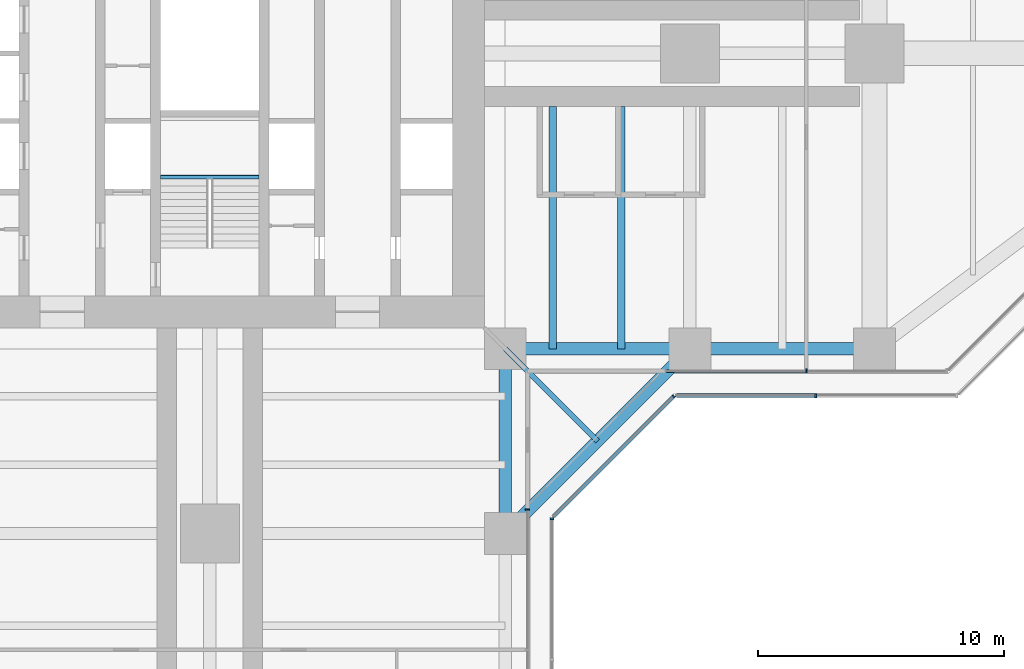
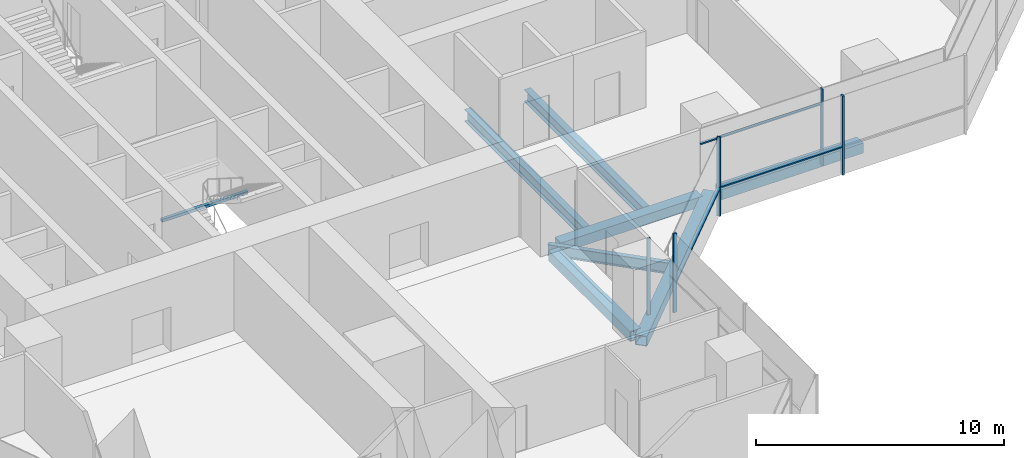
# One storey, part 6 of 22: 8 beams, 8 members, 5 elements without a shape of their own.
"""IFC4 building model written with IfcOpenShell, lengths in metres."""

import ifcopenshell
import ifcopenshell.guid

model = None  # the IFC model being written
_history = None  # IfcOwnerHistory: only IFC2X3 demands one
_inside = {}  # id of a spatial element -> (the spatial element, [elements in it])
_under = {}  # id of a project, library or spatial element -> (it, [spatial elements below it])
_declared = {}  # id of a project -> (the project, [libraries it declares])
_typed = {}  # id of a type object -> (the type object, [elements of that type])
_made_of = {}  # id of a material, layer set ... -> (it, [elements and type objects made of it])


def new_model(schema):
    """Start an empty IFC model of exactly this schema.

    Asked for "IFC4X3", IfcOpenShell would pick the latest addendum, in which some entities
    have other attributes; the version numbers below select the first issue.
    IFC2X3 requires an IfcOwnerHistory on every rooted entity: one is made here for all.
    """
    global model, _history
    if schema == "IFC4X3":
        model = ifcopenshell.file(schema_version=(4, 3, 0, 0))
    else:
        model = ifcopenshell.file(schema=schema)
    _inside.clear()
    _under.clear()
    _declared.clear()
    _typed.clear()
    _made_of.clear()
    _history = None
    if model.schema == "IFC2X3":
        org = make("IfcOrganization", Name="unknown")
        user = make(
            "IfcPersonAndOrganization",
            ThePerson=make("IfcPerson", FamilyName="unknown"),
            TheOrganization=org,
        )
        app = make(
            "IfcApplication",
            ApplicationDeveloper=org,
            Version="unknown",
            ApplicationFullName="unknown",
            ApplicationIdentifier="unknown",
        )
        _history = make(
            "IfcOwnerHistory",
            OwningUser=user,
            OwningApplication=app,
            ChangeAction="ADDED",
            CreationDate=0,
        )
    return model


def make(cls, **values):
    """One entity of the class cls with the attributes given. An attribute that is None is left unset."""
    return model.create_entity(
        cls, **{name: value for name, value in values.items() if value is not None}
    )


def rooted(cls, **values):
    """An entity with a GlobalId (a new one), such as an element, a storey or a relation."""
    return make(cls, GlobalId=ifcopenshell.guid.new(), OwnerHistory=_history, **values)


def si_unit(unit_type, name, prefix=None):
    """IfcSIUnit, for example si_unit("LENGTHUNIT", "METRE", prefix="MILLI")."""
    return make("IfcSIUnit", UnitType=unit_type, Prefix=prefix, Name=name)


def assignment(units):
    """IfcUnitAssignment: the units of a project."""
    return None if units is None else make("IfcUnitAssignment", Units=units)


def point(xyz):
    """IfcCartesianPoint."""
    return None if xyz is None else make("IfcCartesianPoint", Coordinates=xyz)


def direction(xyz):
    """IfcDirection."""
    return None if xyz is None else make("IfcDirection", DirectionRatios=xyz)


def frame(location, z_axis=None, x_axis=None):
    """IfcAxis2Placement3D, a coordinate frame: its origin and axes. An axis left out is left unset."""
    return make(
        "IfcAxis2Placement3D",
        Location=point(location),
        Axis=direction(z_axis),
        RefDirection=direction(x_axis),
    )


def frame_2d(location, x_axis=None):
    """IfcAxis2Placement2D, a coordinate frame in the plane: its origin and x axis."""
    return make(
        "IfcAxis2Placement2D", Location=point(location), RefDirection=direction(x_axis)
    )


def origin():
    """The frame at (0, 0, 0) with its axes left unset."""
    return frame((0.0, 0.0, 0.0))


def origin_2d():
    """The frame at (0, 0) in the plane with its x axis left unset."""
    return frame_2d((0.0, 0.0))


def place(relative_to, where):
    """IfcLocalPlacement: puts the frame where relative to a parent placement (None: the world)."""
    return make(
        "IfcLocalPlacement", PlacementRelTo=relative_to, RelativePlacement=where
    )


def context(
    kind, dimensions, precision=None, world=None, true_north=None, identifier=None
):
    """IfcGeometricRepresentationContext, for example the 3D "Model" context."""
    return make(
        "IfcGeometricRepresentationContext",
        ContextIdentifier=identifier,
        ContextType=kind,
        CoordinateSpaceDimension=dimensions,
        Precision=precision,
        WorldCoordinateSystem=world,
        TrueNorth=true_north,
    )


def subcontext(parent, identifier, kind, view, scale=None):
    """IfcGeometricRepresentationSubContext, for example "Body" below "Model"."""
    return make(
        "IfcGeometricRepresentationSubContext",
        ContextIdentifier=identifier,
        ContextType=kind,
        ParentContext=parent,
        TargetScale=scale,
        TargetView=view,
    )


def project(units=None, contexts=None):
    """IfcProject with its units and contexts."""
    return rooted(
        "IfcProject",
        Name="project",
        RepresentationContexts=contexts,
        UnitsInContext=assignment(units),
    )


def spatial(cls, under=None, at=None, **own):
    """A site, building, storey or space (cls), placed at a placement, below another one or the project."""
    s = rooted(cls, ObjectPlacement=at, **own)
    if under is not None:
        _under.setdefault(under.id(), (under, []))[1].append(s)
    return s


def profile(cls, at=None, kind="AREA", **sizes):
    """A parametric profile (cls). Its sizes go by their IFC names, for example OverallWidth=200.0."""
    return make(cls, ProfileType=kind, Position=at, **sizes)


def rectangle(**sizes):
    """IfcRectangleProfileDef."""
    return profile("IfcRectangleProfileDef", **sizes)


def hollow_rectangle(**sizes):
    """IfcRectangleHollowProfileDef."""
    return profile("IfcRectangleHollowProfileDef", **sizes)


def i_section(**sizes):
    """IfcIShapeProfileDef."""
    return profile("IfcIShapeProfileDef", **sizes)


def extrude(swept, where, along, depth):
    """IfcExtrudedAreaSolid: the profile swept, set in the frame where, extruded along a direction by depth."""
    return make(
        "IfcExtrudedAreaSolid",
        SweptArea=swept,
        Position=where,
        ExtrudedDirection=direction(along),
        Depth=depth,
    )


def shape(context_of_items, identifier, shape_type, items):
    """IfcShapeRepresentation: the items that make up one representation, for example the "Body"."""
    return make(
        "IfcShapeRepresentation",
        ContextOfItems=context_of_items,
        RepresentationIdentifier=identifier,
        RepresentationType=shape_type,
        Items=items,
    )


def material(Name=None, Category=None):
    """IfcMaterial."""
    return make("IfcMaterial", Name=Name, Category=Category)


def material_profile(
    of_material, cross_section, Name=None, Category=None, Priority=None
):
    """IfcMaterialProfile: a cross section and its material."""
    return make(
        "IfcMaterialProfile",
        Name=Name,
        Material=of_material,
        Profile=cross_section,
        Priority=Priority,
        Category=Category,
    )


def profile_set(profiles, Name=None, composite=None):
    """IfcMaterialProfileSet."""
    return make(
        "IfcMaterialProfileSet",
        Name=Name,
        MaterialProfiles=profiles,
        CompositeProfile=composite,
    )


def made_of(thing, what):
    """Note that an element or type object is made of a material, layer set ...; save() writes the relation."""
    if what is not None:
        _made_of.setdefault(what.id(), (what, []))[1].append(thing)
    return thing


def type_object(cls, material=None, **own):
    """A type object (cls), such as IfcWallType, which elements share."""
    return made_of(rooted(cls, **own), material)


def element(
    cls,
    number,
    at=None,
    inside=None,
    cuts=None,
    type_object=None,
    material=None,
    context=None,
    identifier="Body",
    shape_type=None,
    held_by="IfcProductDefinitionShape",
    body=None,
    shapes=None,
    **own,
):
    """One element of the class cls, such as IfcWall. Its Tag is "e" and its number.

    at: its placement. inside: the storey or other place that contains it. cuts: it is an
    opening in that element (IfcRelVoidsElement). A single representation is given by context,
    identifier, shape_type and body (its items); several are given by shapes. held_by: the class
    of the entity that holds the representations. save() writes the other relations.
    """
    e = rooted(cls, Tag="e%d" % number, ObjectPlacement=at, **own)
    if body is not None:
        shapes = [shape(context, identifier, shape_type, body)]
    if shapes is not None:
        e.Representation = make(held_by, Representations=shapes)
    if inside is not None:
        _inside.setdefault(inside.id(), (inside, []))[1].append(e)
    if cuts is not None:
        rooted(
            "IfcRelVoidsElement", RelatingBuildingElement=cuts, RelatedOpeningElement=e
        )
    if type_object is not None:
        _typed.setdefault(type_object.id(), (type_object, []))[1].append(e)
    return made_of(e, material)


def aggregate(whole, parts):
    """IfcRelAggregates: a whole, such as a stair, and the parts it consists of."""
    return rooted("IfcRelAggregates", RelatingObject=whole, RelatedObjects=parts)


def save(model, path):
    """Write the relations noted so far, then the file.

    IfcRelAggregates (storeys below a building ...), IfcRelContainedInSpatialStructure (elements
    in a storey), IfcRelDefinesByType, IfcRelAssociatesMaterial and IfcRelDeclares: one each for
    every whole, place, type object, material and project.
    """
    for whole, parts in _under.values():
        aggregate(whole, parts)
    for where, things in _inside.values():
        rooted(
            "IfcRelContainedInSpatialStructure",
            RelatedElements=things,
            RelatingStructure=where,
        )
    for kind, things in _typed.values():
        rooted("IfcRelDefinesByType", RelatedObjects=things, RelatingType=kind)
    for what, things in _made_of.values():
        rooted("IfcRelAssociatesMaterial", RelatedObjects=things, RelatingMaterial=what)
    for by, libraries in _declared.values():
        rooted("IfcRelDeclares", RelatingContext=by, RelatedDefinitions=libraries)
    model.write(path)


model = new_model("IFC4")

# Units and contexts
model_context = context("Model", 3, precision=1e-05, world=origin(), true_north=direction((0.0, 1.0)))
body_context = subcontext(model_context, "Body", "Model", "MODEL_VIEW")
ifc_project = project(units=[si_unit("LENGTHUNIT", "METRE"), si_unit("AREAUNIT", "SQUARE_METRE"), si_unit("VOLUMEUNIT", "CUBIC_METRE"), si_unit("PLANEANGLEUNIT", "RADIAN"), si_unit("MASSUNIT", "GRAM", prefix="KILO")], contexts=[model_context])

# Site, building, storey
site_placement = place(None, origin())
site = spatial("IfcSite", under=ifc_project, at=site_placement, CompositionType="ELEMENT")
building_placement = place(site_placement, origin())
building = spatial("IfcBuilding", under=site, at=building_placement, Name="Mizan Broadcast Tower", CompositionType="ELEMENT")
storey_placement = place(building_placement, frame((0.0, 0.0, 63.0)))
storey = spatial("IfcBuildingStorey", under=building, at=storey_placement, Name="L12", CompositionType="ELEMENT", Elevation=63.0)

# Beams
ifc_material_1 = material(Name="Steel S355", Category="steel")
ifc_material_profile_1 = material_profile(ifc_material_1, hollow_rectangle(XDim=0.5, YDim=0.5, WallThickness=0.030029296875, at=origin_2d()), Name="BOX 500x500x30")
ifc_profile_set_1 = profile_set([ifc_material_profile_1], Name="Steel S355")
beam_type_1 = type_object("IfcBeamType", Name="EDGE BEAM BOX 500x500x30", PredefinedType="SPANDREL", material=ifc_profile_set_1)
for number, where, z_axis, x_axis, name in (
    (1, (12.449951171875, -12.0, -0.3798828125), (1.0, 0.0, 0.0), (0.0, 1.0, 0.0), "Edge beam BOX 500x500x30 L12 east arm"),
    (2, (19.949951171875, -12.0, -0.3798828125), (1.0, 0.0, 0.0), (0.0, 1.0, 0.0), "Edge beam BOX 500x500x30 L12 east arm"),
    (3, (12.0, -12.449951171875, -0.3798828125), (0.0, -1.0, 0.0), (1.0, 0.0, 0.0), "Edge beam BOX 500x500x30 L12 south arm"),
):
    element("IfcBeam", number, at=place(storey_placement, frame(where, z_axis=z_axis, x_axis=x_axis)), inside=storey, type_object=beam_type_1, Name=name, PredefinedType="SPANDREL", context=body_context, shape_type="SweptSolid", body=[
        extrude(hollow_rectangle(XDim=0.5, YDim=0.5, WallThickness=0.030029296875, at=origin_2d()), origin(), (0.0, 0.0, 1.0), 6.60009765625),
    ])
beam_1_placement = place(storey_placement, frame((12.0, -19.5, -0.3798828125), z_axis=(0.707106781187, 0.707106781187, 0.0), x_axis=(-0.707106781187, 0.707106781187, 0.0)))
element("IfcBeam", 4, at=beam_1_placement, inside=storey, type_object=beam_type_1, Name="Winter garden edge beam L12 S", PredefinedType="SPANDREL", context=body_context, shape_type="SweptSolid", body=[
    extrude(hollow_rectangle(XDim=0.5, YDim=0.5, WallThickness=0.030029296875, at=origin_2d()), origin(), (0.0, 0.0, 1.0), 10.606689453125),
])

# Curtain wall, member
ifc_material_2 = material(Name="Aluminium framed glazing", Category="aluminium")
curtain_wall_type_1 = type_object("IfcCurtainWallType", Name="INNER SKIN LOW ZONE", PredefinedType="USERDEFINED", material=ifc_material_2)
curtain_wall_1_placement = place(storey_placement, origin())
curtain_wall_1 = element("IfcCurtainWall", 5, at=curtain_wall_1_placement, inside=storey, type_object=curtain_wall_type_1, Name="Inner skin low zone L12 E side", ObjectType="INNER SKIN LOW ZONE", PredefinedType="USERDEFINED")
ifc_material_3 = material(Name="Aluminium, pale anodised", Category="aluminium")
ifc_material_profile_2 = material_profile(ifc_material_3, rectangle(XDim=0.159912109375, YDim=0.06005859375, at=origin_2d()), Name="MULLION 160x60")
ifc_profile_set_2 = profile_set([ifc_material_profile_2], Name="Aluminium, pale anodised")
member_type_1 = type_object("IfcMemberType", Name="INNER SKIN MULLION 60x160", PredefinedType="MULLION", material=ifc_profile_set_2)
member_1_placement = place(storey_placement, frame((24.229248046875, -12.89990234375, 0.0), z_axis=(0.0, 0.0, 1.0), x_axis=(0.0, 1.0, 0.0)))
member_1 = element("IfcMember", 6, at=member_1_placement, type_object=member_type_1, Name="Inner skin low zone L12 E side mullion 2", PredefinedType="MULLION", context=body_context, shape_type="SweptSolid", body=[
    extrude(rectangle(XDim=0.159912109375, YDim=0.06005859375, at=origin_2d()), origin(), (0.0, 0.0, 1.0), 3.77001953125),
])

curtain_wall_2_placement = place(storey_placement, origin())
curtain_wall_2 = element("IfcCurtainWall", 7, at=curtain_wall_2_placement, inside=storey, type_object=curtain_wall_type_1, Name="Inner skin low zone L12 S side", ObjectType="INNER SKIN LOW ZONE", PredefinedType="USERDEFINED")
member_2_placement = place(storey_placement, frame((12.89990234375, -18.530029296875, 0.0), z_axis=(0.0, 0.0, 1.0), x_axis=(-1.0, 0.0, 0.0)))
member_2 = element("IfcMember", 8, at=member_2_placement, type_object=member_type_1, Name="Inner skin low zone L12 S side mullion 3", PredefinedType="MULLION", context=body_context, shape_type="SweptSolid", body=[
    extrude(rectangle(XDim=0.159912109375, YDim=0.06005859375, at=origin_2d()), origin(), (0.0, 0.0, 1.0), 3.77001953125),
])
aggregate(curtain_wall_2, [member_2])

# Member
ifc_material_4 = material(Name="Aluminium, pale anodised", Category="aluminium")
ifc_material_profile_3 = material_profile(ifc_material_4, rectangle(XDim=0.1201171875, YDim=0.06005859375, at=origin_2d()), Name="TRANSOM 120x60")
ifc_profile_set_3 = profile_set([ifc_material_profile_3], Name="Aluminium, pale anodised")
member_type_2 = type_object("IfcMemberType", Name="INNER SKIN TRANSOM 60x120", PredefinedType="USERDEFINED", material=ifc_profile_set_3)
member_3_placement = place(storey_placement, frame((18.56005859375, -12.89990234375, 3.030029296875), z_axis=(1.0, 0.0, 0.0), x_axis=(0.0, 1.0, 0.0)))
member_3 = element("IfcMember", 9, at=member_3_placement, type_object=member_type_2, Name="Inner skin low zone L12 E side transom 1.1", ObjectType="TRANSOM", PredefinedType="USERDEFINED", context=body_context, shape_type="SweptSolid", body=[
    extrude(rectangle(XDim=0.1201171875, YDim=0.06005859375, at=origin_2d()), origin(), (0.0, 0.0, 1.0), 5.63916015625),
])

aggregate(curtain_wall_1, [member_1, member_3])

# Beam
ifc_material_5 = material(Name="Steel S355", Category="steel")
ifc_material_profile_4 = material_profile(ifc_material_5, hollow_rectangle(XDim=0.14990234375, YDim=0.14990234375, WallThickness=0.008056640625, InnerFilletRadius=0.008056640625, OuterFilletRadius=0.011962890625, at=origin_2d()), Name="SHS 150x150x8")
ifc_profile_set_4 = profile_set([ifc_material_profile_4], Name="Steel S355")
beam_type_2 = type_object("IfcBeamType", Name="LANDING TRIMMER SHS 150x150x8", PredefinedType="BEAM", material=ifc_profile_set_4)
beam_2_placement = place(storey_placement, frame((-2.0, -5.02490234375, 1.675048828125), z_axis=(1.0, 0.0, 0.0), x_axis=(0.0, 1.0, 0.0)))
element("IfcBeam", 10, at=beam_2_placement, inside=storey, type_object=beam_type_2, Name="Stair A landing trimmer L12", PredefinedType="BEAM", context=body_context, shape_type="SweptSolid", body=[
    extrude(hollow_rectangle(XDim=0.14990234375, YDim=0.14990234375, WallThickness=0.008056640625, InnerFilletRadius=0.008056640625, OuterFilletRadius=0.011962890625, at=origin_2d()), origin(), (0.0, 0.0, 1.0), 4.0),
])

# Curtain wall, member
ifc_material_6 = material(Name="Aluminium framed glazing", Category="aluminium")
curtain_wall_type_2 = type_object("IfcCurtainWallType", Name="OUTER SKIN", PredefinedType="USERDEFINED", material=ifc_material_6)
curtain_wall_3_placement = place(storey_placement, origin())
curtain_wall_3 = element("IfcCurtainWall", 11, at=curtain_wall_3_placement, inside=storey, type_object=curtain_wall_type_2, Name="Outer skin L12 S side", ObjectType="OUTER SKIN", PredefinedType="USERDEFINED")
ifc_material_7 = material(Name="Aluminium, pale anodised", Category="aluminium")
ifc_material_profile_5 = material_profile(ifc_material_7, rectangle(XDim=0.159912109375, YDim=0.080078125, at=origin_2d()), Name="MULLION 160x80")
ifc_profile_set_5 = profile_set([ifc_material_profile_5], Name="Aluminium, pale anodised")
member_type_3 = type_object("IfcMemberType", Name="OUTER SKIN MULLION 80x160", PredefinedType="MULLION", material=ifc_profile_set_5)
member_4_placement = place(storey_placement, frame((13.89990234375, -18.912841796875, 0.0), z_axis=(0.0, 0.0, 1.0), x_axis=(-1.0, 0.0, 0.0)))
member_4 = element("IfcMember", 12, at=member_4_placement, type_object=member_type_3, Name="Outer skin L12 S side mullion 3", PredefinedType="MULLION", context=body_context, shape_type="SweptSolid", body=[
    extrude(rectangle(XDim=0.159912109375, YDim=0.080078125, at=origin_2d()), origin(), (0.0, 0.0, 1.0), 3.89990234375),
])
aggregate(curtain_wall_3, [member_4])

curtain_wall_4_placement = place(storey_placement, origin())
curtain_wall_4 = element("IfcCurtainWall", 13, at=curtain_wall_4_placement, inside=storey, type_object=curtain_wall_type_2, Name="Outer skin L12 E chamfer", ObjectType="OUTER SKIN", PredefinedType="USERDEFINED")
member_5_placement = place(storey_placement, frame((18.844482421875, -13.92822265625, 0.0), z_axis=(0.0, 0.0, 1.0), x_axis=(-0.707106781187, 0.707106781187, 0.0)))
member_5 = element("IfcMember", 14, at=member_5_placement, type_object=member_type_3, Name="Outer skin L12 E chamfer mullion 2", PredefinedType="MULLION", context=body_context, shape_type="SweptSolid", body=[
    extrude(rectangle(XDim=0.159912109375, YDim=0.080078125, at=origin_2d()), origin(), (0.0, 0.0, 1.0), 3.89990234375),
])

curtain_wall_5_placement = place(storey_placement, origin())
curtain_wall_5 = element("IfcCurtainWall", 15, at=curtain_wall_5_placement, inside=storey, type_object=curtain_wall_type_2, Name="Outer skin L12 E side", ObjectType="OUTER SKIN", PredefinedType="USERDEFINED")
member_6_placement = place(storey_placement, frame((24.622802734375, -13.89990234375, 0.0), z_axis=(0.0, 0.0, 1.0), x_axis=(0.0, 1.0, 0.0)))
member_6 = element("IfcMember", 16, at=member_6_placement, type_object=member_type_3, Name="Outer skin L12 E side mullion 2", PredefinedType="MULLION", context=body_context, shape_type="SweptSolid", body=[
    extrude(rectangle(XDim=0.159912109375, YDim=0.080078125, at=origin_2d()), origin(), (0.0, 0.0, 1.0), 3.89990234375),
])

# Member
ifc_material_8 = material(Name="Aluminium, pale anodised", Category="aluminium")
ifc_material_profile_6 = material_profile(ifc_material_8, rectangle(XDim=0.159912109375, YDim=0.06005859375, at=origin_2d()), Name="TRANSOM 160x60")
ifc_profile_set_6 = profile_set([ifc_material_profile_6], Name="Aluminium, pale anodised")
member_type_4 = type_object("IfcMemberType", Name="OUTER SKIN TRANSOM 60x160", PredefinedType="USERDEFINED", material=ifc_profile_set_6)
member_7_placement = place(storey_placement, frame((13.95654296875, -18.816162109375, 1.39990234375), z_axis=(0.707106781187, 0.707106781187, 0.0), x_axis=(-0.707106781187, 0.707106781187, 0.0)))
member_7 = element("IfcMember", 17, at=member_7_placement, type_object=member_type_4, Name="Outer skin L12 E chamfer transom 1.1", ObjectType="TRANSOM", PredefinedType="USERDEFINED", context=body_context, shape_type="SweptSolid", body=[
    extrude(rectangle(XDim=0.159912109375, YDim=0.06005859375, at=origin_2d()), origin(), (0.0, 0.0, 1.0), 6.87255859375),
])

aggregate(curtain_wall_4, [member_5, member_7])

member_8_placement = place(storey_placement, frame((18.952880859375, -13.89990234375, 1.39990234375), z_axis=(1.0, 0.0, 0.0), x_axis=(0.0, 1.0, 0.0)))
member_8 = element("IfcMember", 18, at=member_8_placement, type_object=member_type_4, Name="Outer skin L12 E side transom 1.1", ObjectType="TRANSOM", PredefinedType="USERDEFINED", context=body_context, shape_type="SweptSolid", body=[
    extrude(rectangle(XDim=0.159912109375, YDim=0.06005859375, at=origin_2d()), origin(), (0.0, 0.0, 1.0), 5.6298828125),
])

aggregate(curtain_wall_5, [member_6, member_8])

# Beams
ifc_material_9 = material(Name="Steel S355", Category="steel")
ifc_material_profile_7 = material_profile(ifc_material_9, i_section(OverallWidth=0.300048828125, OverallDepth=0.590087890625, WebThickness=0.012939453125, FlangeThickness=0.02490234375, FilletRadius=0.027099609375, at=origin_2d()), Name="HEA 600")
ifc_profile_set_7 = profile_set([ifc_material_profile_7], Name="Steel S355")
beam_type_3 = type_object("IfcBeamType", Name="SECONDARY BEAM HEA 600", PredefinedType="JOIST", material=ifc_profile_set_7)
for number, where, z_axis, x_axis, name in (
    (19, (13.933349609375, -12.0, -0.425048828125), (0.0, 1.0, 0.0), (-1.0, 0.0, 0.0), "Secondary beam HEA 600 L12 east arm"),
    (20, (16.716552734375, -12.0, -0.425048828125), (0.0, 1.0, 0.0), (-1.0, 0.0, 0.0), "Secondary beam HEA 600 L12 east arm"),
):
    element("IfcBeam", number, at=place(storey_placement, frame(where, z_axis=z_axis, x_axis=x_axis)), inside=storey, type_object=beam_type_3, Name=name, PredefinedType="JOIST", context=body_context, shape_type="SweptSolid", body=[
        extrude(i_section(OverallWidth=0.300048828125, OverallDepth=0.590087890625, WebThickness=0.012939453125, FlangeThickness=0.02490234375, FilletRadius=0.027099609375, at=origin_2d()), origin(), (0.0, 0.0, 1.0), 9.85009765625),
    ])
ifc_material_10 = material(Name="Steel S355", Category="steel")
ifc_material_profile_8 = material_profile(ifc_material_10, i_section(OverallWidth=0.2099609375, OverallDepth=0.550048828125, WebThickness=0.010986328125, FlangeThickness=0.01708984375, FilletRadius=0.02392578125, at=origin_2d()), Name="IPE 550")
ifc_profile_set_8 = profile_set([ifc_material_profile_8], Name="Steel S355")
beam_type_4 = type_object("IfcBeamType", Name="SECONDARY BEAM IPE 550", PredefinedType="JOIST", material=ifc_profile_set_8)
beam_3_placement = place(storey_placement, frame((12.0, -12.0, -0.405029296875), z_axis=(0.707106781187, -0.707106781187, 0.0), x_axis=(0.707106781187, 0.707106781187, 0.0)))
element("IfcBeam", 21, at=beam_3_placement, inside=storey, type_object=beam_type_4, Name="Winter garden beam L12 S", PredefinedType="JOIST", context=body_context, shape_type="SweptSolid", body=[
    extrude(i_section(OverallWidth=0.2099609375, OverallDepth=0.550048828125, WebThickness=0.010986328125, FlangeThickness=0.01708984375, FilletRadius=0.02392578125, at=origin_2d()), origin(), (0.0, 0.0, 1.0), 5.30322265625),
])

save(model, "model.ifc")
